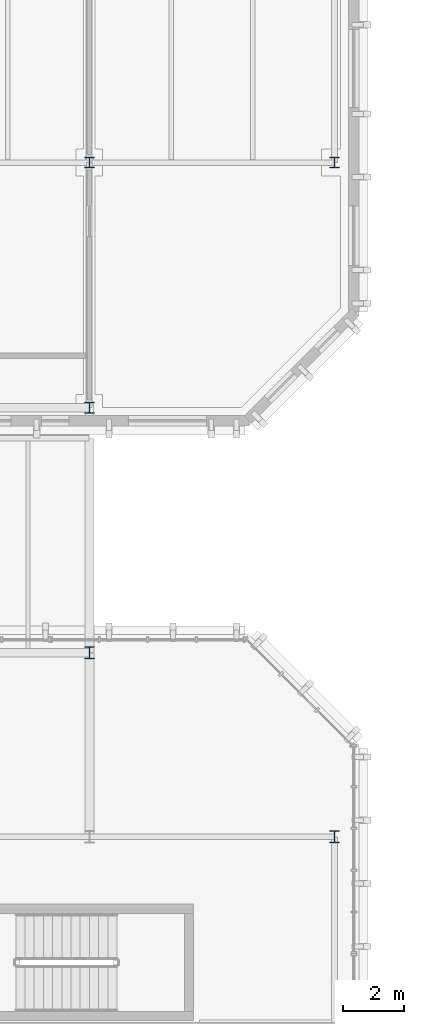
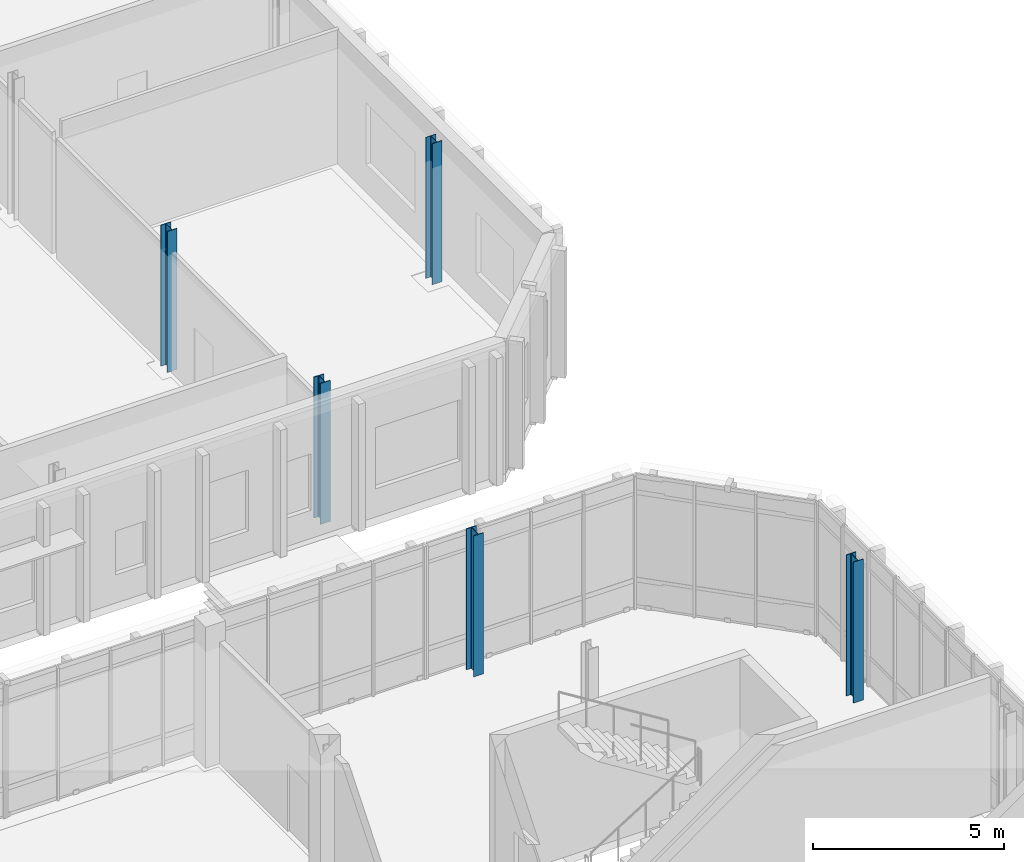
# One storey, part 3 of 62: 5 columns.
"""IFC4 building model written with IfcOpenShell, lengths in metres."""

from ifc_helpers import new_model, si_unit, direction, frame, origin, origin_2d, place, context, subcontext, project, spatial, i_section, extrude, material, material_profile, profile_set, type_object, element, save


model = new_model("IFC4")

# Units and contexts
model_context = context("Model", 3, precision=1e-05, world=origin(), true_north=direction((0.0, 1.0)))
body_context = subcontext(model_context, "Body", "Model", "MODEL_VIEW")
ifc_project = project(units=[si_unit("LENGTHUNIT", "METRE"), si_unit("AREAUNIT", "SQUARE_METRE"), si_unit("VOLUMEUNIT", "CUBIC_METRE"), si_unit("PLANEANGLEUNIT", "RADIAN"), si_unit("MASSUNIT", "GRAM", prefix="KILO")], contexts=[model_context])

# Site, building, storey
site_placement = place(None, origin())
site = spatial("IfcSite", under=ifc_project, at=site_placement, CompositionType="ELEMENT")
building_placement = place(site_placement, origin())
building = spatial("IfcBuilding", under=site, at=building_placement, Name="Cymarion Research Institute", CompositionType="ELEMENT")
storey_placement = place(building_placement, frame((0.0, 0.0, 18.300048828125)))
storey = spatial("IfcBuildingStorey", under=building, at=storey_placement, Name="L04", CompositionType="ELEMENT", Elevation=18.300048828125)

# Columns
ifc_material = material(Name="Steel S355", Category="steel")
ifc_material_profile_1 = material_profile(ifc_material, i_section(OverallWidth=0.300048828125, OverallDepth=0.39990234375, WebThickness=0.013427734375, FlangeThickness=0.02392578125, FilletRadius=0.027099609375, at=origin_2d()), Name="HEB 400")
ifc_profile_set_1 = profile_set([ifc_material_profile_1], Name="Steel S355")
column_type_1 = type_object("IfcColumnType", Name="STRUCTURAL COLUMN C06 HEB 400", PredefinedType="COLUMN", material=ifc_profile_set_1)
for number, where, z_axis, x_axis, name in (
    (1, (38.60009765625, 77.5, 0.0), (0.0, 0.0, 1.0), (1.0, 0.0, 0.0), "L04 V4 column C06 #1063"),
    (2, (46.60009765625, 71.5, 0.0), (0.0, 0.0, 1.0), (1.0, 0.0, 0.0), "L04 V4 column C06 #1072"),
):
    element("IfcColumn", number, at=place(storey_placement, frame(where, z_axis=z_axis, x_axis=x_axis)), inside=storey, type_object=column_type_1, Name=name, PredefinedType="COLUMN", context=body_context, shape_type="SweptSolid", body=[
        extrude(i_section(OverallWidth=0.300048828125, OverallDepth=0.39990234375, WebThickness=0.013427734375, FlangeThickness=0.02392578125, FilletRadius=0.027099609375, at=origin_2d()), origin(), (0.0, 0.0, 1.0), 4.5),
    ])
ifc_material_profile_2 = material_profile(ifc_material, i_section(OverallWidth=0.300048828125, OverallDepth=0.360107421875, WebThickness=0.012451171875, FlangeThickness=0.0224609375, FilletRadius=0.027099609375, at=origin_2d()), Name="HEB 360")
ifc_profile_set_2 = profile_set([ifc_material_profile_2], Name="Steel S355")
column_type_2 = type_object("IfcColumnType", Name="STRUCTURAL COLUMN C07 HEB 360", PredefinedType="COLUMN", material=ifc_profile_set_2)
column_placement = place(storey_placement, frame((38.60009765625, 85.5, 0.0), z_axis=(0.0, 0.0, 1.0), x_axis=(1.0, 0.0, 0.0)))
element("IfcColumn", 3, at=column_placement, inside=storey, type_object=column_type_2, Name="L04 V5 column C07 #1064", PredefinedType="COLUMN", context=body_context, shape_type="SweptSolid", body=[
    extrude(i_section(OverallWidth=0.300048828125, OverallDepth=0.360107421875, WebThickness=0.012451171875, FlangeThickness=0.0224609375, FilletRadius=0.027099609375, at=origin_2d()), origin(), (0.0, 0.0, 1.0), 4.5),
])
ifc_material_profile_3 = material_profile(ifc_material, i_section(OverallWidth=0.300048828125, OverallDepth=0.35009765625, WebThickness=0.010009765625, FlangeThickness=0.017578125, FilletRadius=0.027099609375, at=origin_2d()), Name="HEA 360")
ifc_profile_set_3 = profile_set([ifc_material_profile_3], Name="Steel S355")
column_type_3 = type_object("IfcColumnType", Name="STRUCTURAL COLUMN C12 HEA 360", PredefinedType="COLUMN", material=ifc_profile_set_3)
for number, where, z_axis, x_axis, name in (
    (4, (38.60009765625, 93.5, 0.0), (0.0, 0.0, 1.0), (1.0, 0.0, 0.0), "L04 V5 column C12 #1065"),
    (5, (46.60009765625, 93.5, 0.0), (0.0, 0.0, 1.0), (1.0, 0.0, 0.0), "L04 V5 column C12 #1073"),
):
    element("IfcColumn", number, at=place(storey_placement, frame(where, z_axis=z_axis, x_axis=x_axis)), inside=storey, type_object=column_type_3, Name=name, PredefinedType="COLUMN", context=body_context, shape_type="SweptSolid", body=[
        extrude(i_section(OverallWidth=0.300048828125, OverallDepth=0.35009765625, WebThickness=0.010009765625, FlangeThickness=0.017578125, FilletRadius=0.027099609375, at=origin_2d()), origin(), (0.0, 0.0, 1.0), 4.5),
    ])

save(model, "model.ifc")
